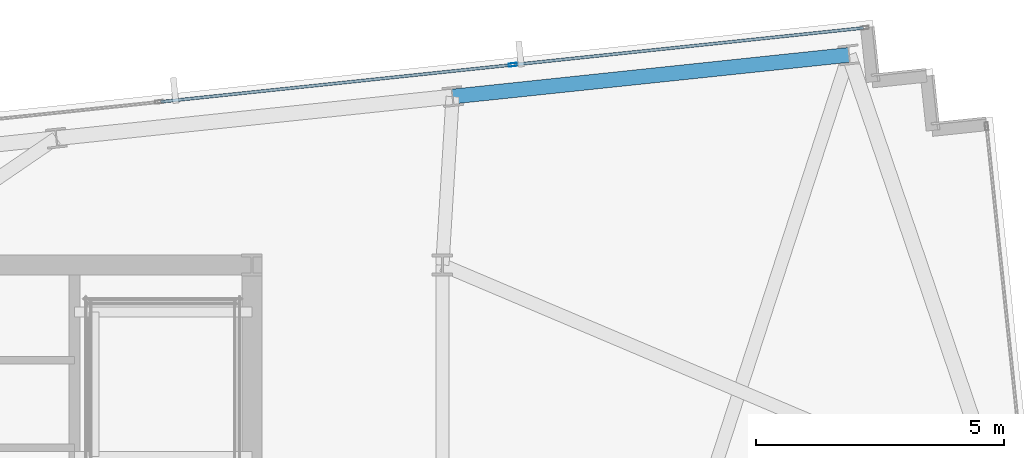
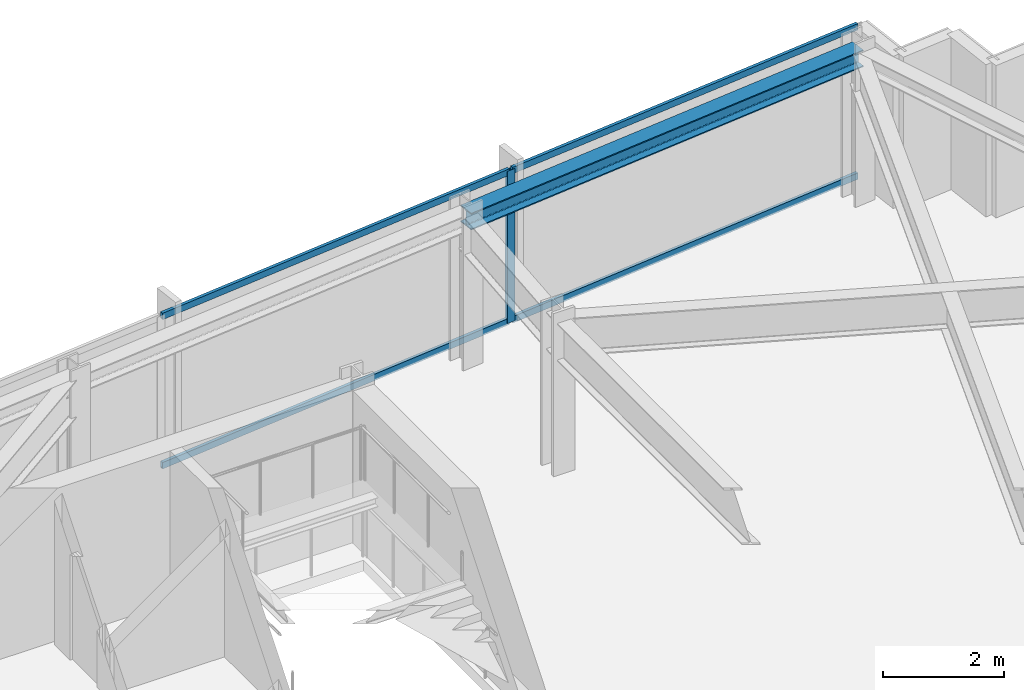
# One storey, part 24 of 33: 5 members, 1 beam, 1 element without a shape of its own.
"""IFC4 building model written with IfcOpenShell, lengths in metres."""

from ifc_helpers import new_model, si_unit, direction, frame, origin, origin_2d, place, context, subcontext, project, spatial, hollow_rectangle, i_section, extrude, material, material_profile, profile_set, type_object, element, aggregate, save


model = new_model("IFC4")

# Units and contexts
model_context = context("Model", 3, precision=1e-05, world=origin(), true_north=direction((0.0, 1.0)))
body_context = subcontext(model_context, "Body", "Model", "MODEL_VIEW")
ifc_project = project(units=[si_unit("LENGTHUNIT", "METRE"), si_unit("AREAUNIT", "SQUARE_METRE"), si_unit("VOLUMEUNIT", "CUBIC_METRE"), si_unit("PLANEANGLEUNIT", "RADIAN"), si_unit("MASSUNIT", "GRAM", prefix="KILO")], contexts=[model_context])

# Site, building, storey
site_placement = place(None, origin())
site = spatial("IfcSite", under=ifc_project, at=site_placement, CompositionType="ELEMENT")
building_placement = place(site_placement, origin())
building = spatial("IfcBuilding", under=site, at=building_placement, Name="Yelkora Congress Tower", CompositionType="ELEMENT")
storey_placement = place(building_placement, frame((0.0, 0.0, 234.199951171875)))
storey = spatial("IfcBuildingStorey", under=building, at=storey_placement, Name="L65", CompositionType="ELEMENT", Elevation=234.199951171875)

# Beam
ifc_material_1 = material(Name="Steel S355J2", Category="steel")
ifc_material_profile_1 = material_profile(ifc_material_1, i_section(OverallWidth=0.300048828125, OverallDepth=0.340087890625, WebThickness=0.011962890625, FlangeThickness=0.021484375, FilletRadius=0.027099609375, at=origin_2d()), Name="HEB 340")
ifc_profile_set_1 = profile_set([ifc_material_profile_1], Name="Steel S355J2")
beam_type = type_object("IfcBeamType", Name="BM-SPAN-HEB340", PredefinedType="SPANDREL", material=ifc_profile_set_1)
beam_placement = place(storey_placement, frame((65.7958984375, 50.4365234375, 2.91015625), z_axis=(-0.994520097542, -0.104545567032, 0.0), x_axis=(0.104545567032, -0.994520097542, 0.0)))
element("IfcBeam", 1, at=beam_placement, inside=storey, type_object=beam_type, Name="L65 Perimeter Beam 13", PredefinedType="SPANDREL", context=body_context, shape_type="SweptSolid", body=[
    extrude(i_section(OverallWidth=0.300048828125, OverallDepth=0.340087890625, WebThickness=0.011962890625, FlangeThickness=0.021484375, FilletRadius=0.027099609375, at=origin_2d()), origin(), (0.0, 0.0, 1.0), 8.033203125),
])

# Curtain wall, members
ifc_material_2 = material(Name="Anodised aluminium and insulated glass", Category="aluminium")
curtain_wall_type = type_object("IfcCurtainWallType", Name="CW-SYS-B4", PredefinedType="NOTDEFINED", material=ifc_material_2)
curtain_wall_placement = place(storey_placement, origin())
curtain_wall = element("IfcCurtainWall", 2, at=curtain_wall_placement, inside=storey, type_object=curtain_wall_type, Name="L65 Unitised Curtain Wall 10 (3)", PredefinedType="NOTDEFINED")
ifc_material_3 = material(Name="Anodised aluminium 6063-T6", Category="aluminium")
ifc_material_profile_2 = material_profile(ifc_material_3, hollow_rectangle(XDim=0.06494140625, YDim=0.159912109375, WallThickness=0.00390625, at=origin_2d()), Name="ALU 65x160x4")
ifc_profile_set_2 = profile_set([ifc_material_profile_2], Name="Anodised aluminium 6063-T6")
member_type_1 = type_object("IfcMemberType", Name="MEM-ML-B4", PredefinedType="MULLION", material=ifc_profile_set_2)
member_1_placement = place(storey_placement, frame((59.019775390625, 50.237060546875, 0.0), z_axis=(0.0, 0.0, 1.0), x_axis=(-0.104527724021, 0.994521973066, 0.0)))
member_1 = element("IfcMember", 3, at=member_1_placement, type_object=member_type_1, Name="CW-B4 mullion 6", PredefinedType="MULLION", context=body_context, shape_type="SweptSolid", body=[
    extrude(hollow_rectangle(XDim=0.06494140625, YDim=0.159912109375, WallThickness=0.00390625, at=origin_2d()), origin(), (0.0, 0.0, 1.0), 3.080078125),
])
ifc_material_profile_3 = material_profile(ifc_material_3, hollow_rectangle(XDim=0.06005859375, YDim=0.1298828125, WallThickness=0.00390625, at=origin_2d()), Name="ALU 60x130x4")
ifc_profile_set_3 = profile_set([ifc_material_profile_3], Name="Anodised aluminium 6063-T6")
member_type_2 = type_object("IfcMemberType", Name="MEM-TR-B4", PredefinedType="USERDEFINED", material=ifc_profile_set_3)
member_2_placement = place(storey_placement, frame((51.92138671875, 49.490966796875, 0.030029296875), z_axis=(0.99452200925, 0.104527379751, 0.0), x_axis=(-0.104527379751, 0.99452200925, 0.0)))
member_2 = element("IfcMember", 4, at=member_2_placement, type_object=member_type_2, Name="CW-B4 transom 5.1", ObjectType="TRANSOM", PredefinedType="USERDEFINED", context=body_context, shape_type="SweptSolid", body=[
    extrude(hollow_rectangle(XDim=0.06005859375, YDim=0.1298828125, WallThickness=0.00390625, at=origin_2d()), origin(), (0.0, 0.0, 1.0), 7.10498046875),
])
member_3_placement = place(storey_placement, frame((51.92138671875, 49.490966796875, 3.050048828125), z_axis=(0.99452200925, 0.104527379751, 0.0), x_axis=(-0.104527379751, 0.99452200925, 0.0)))
member_3 = element("IfcMember", 5, at=member_3_placement, type_object=member_type_2, Name="CW-B4 transom 5.2", ObjectType="TRANSOM", PredefinedType="USERDEFINED", context=body_context, shape_type="SweptSolid", body=[
    extrude(hollow_rectangle(XDim=0.06005859375, YDim=0.1298828125, WallThickness=0.00390625, at=origin_2d()), origin(), (0.0, 0.0, 1.0), 7.10498046875),
])
member_4_placement = place(storey_placement, frame((59.052001953125, 50.240478515625, 0.030029296875), z_axis=(0.994522462765, 0.104523064706, 0.0), x_axis=(-0.104523064706, 0.994522462765, 0.0)))
member_4 = element("IfcMember", 6, at=member_4_placement, type_object=member_type_2, Name="CW-B4 transom 6.1", ObjectType="TRANSOM", PredefinedType="USERDEFINED", context=body_context, shape_type="SweptSolid", body=[
    extrude(hollow_rectangle(XDim=0.06005859375, YDim=0.1298828125, WallThickness=0.00390625, at=origin_2d()), origin(), (0.0, 0.0, 1.0), 7.07275390625),
])
member_5_placement = place(storey_placement, frame((59.052001953125, 50.240478515625, 3.050048828125), z_axis=(0.994522462765, 0.104523064706, 0.0), x_axis=(-0.104523064706, 0.994522462765, 0.0)))
member_5 = element("IfcMember", 7, at=member_5_placement, type_object=member_type_2, Name="CW-B4 transom 6.2", ObjectType="TRANSOM", PredefinedType="USERDEFINED", context=body_context, shape_type="SweptSolid", body=[
    extrude(hollow_rectangle(XDim=0.06005859375, YDim=0.1298828125, WallThickness=0.00390625, at=origin_2d()), origin(), (0.0, 0.0, 1.0), 7.07275390625),
])
aggregate(curtain_wall, [member_1, member_2, member_3, member_4, member_5])

save(model, "model.ifc")
